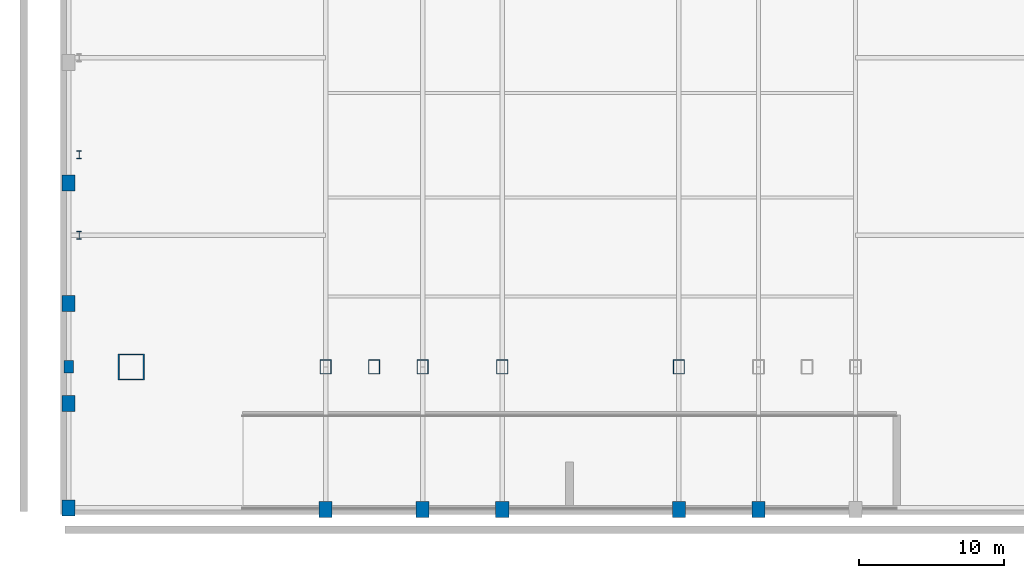
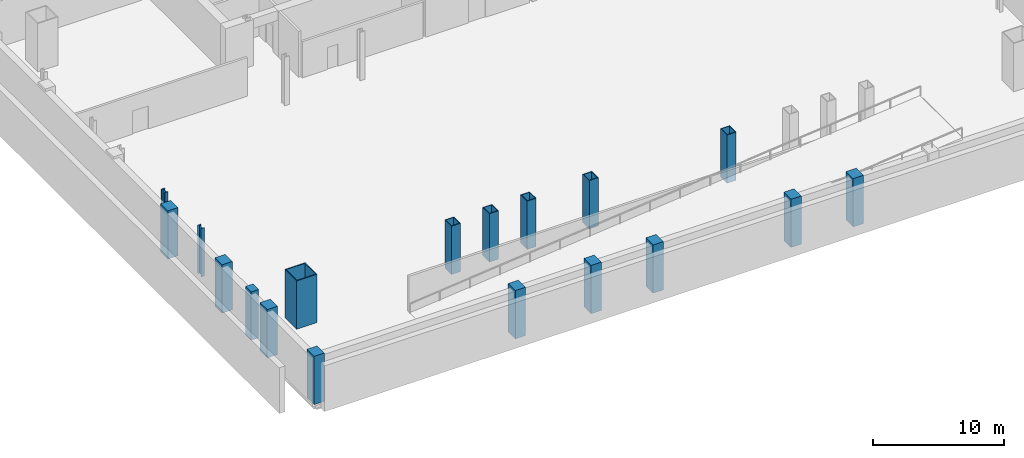
# One storey, part 1 of 10: 18 columns.
"""IFC4 building model written with IfcOpenShell, lengths in metres."""

import ifcopenshell
import ifcopenshell.guid

model = None  # the IFC model being written
_history = None  # IfcOwnerHistory: only IFC2X3 demands one
_inside = {}  # id of a spatial element -> (the spatial element, [elements in it])
_under = {}  # id of a project, library or spatial element -> (it, [spatial elements below it])
_declared = {}  # id of a project -> (the project, [libraries it declares])
_typed = {}  # id of a type object -> (the type object, [elements of that type])
_made_of = {}  # id of a material, layer set ... -> (it, [elements and type objects made of it])


def new_model(schema):
    """Start an empty IFC model of exactly this schema.

    Asked for "IFC4X3", IfcOpenShell would pick the latest addendum, in which some entities
    have other attributes; the version numbers below select the first issue.
    IFC2X3 requires an IfcOwnerHistory on every rooted entity: one is made here for all.
    """
    global model, _history
    if schema == "IFC4X3":
        model = ifcopenshell.file(schema_version=(4, 3, 0, 0))
    else:
        model = ifcopenshell.file(schema=schema)
    _inside.clear()
    _under.clear()
    _declared.clear()
    _typed.clear()
    _made_of.clear()
    _history = None
    if model.schema == "IFC2X3":
        org = make("IfcOrganization", Name="unknown")
        user = make(
            "IfcPersonAndOrganization",
            ThePerson=make("IfcPerson", FamilyName="unknown"),
            TheOrganization=org,
        )
        app = make(
            "IfcApplication",
            ApplicationDeveloper=org,
            Version="unknown",
            ApplicationFullName="unknown",
            ApplicationIdentifier="unknown",
        )
        _history = make(
            "IfcOwnerHistory",
            OwningUser=user,
            OwningApplication=app,
            ChangeAction="ADDED",
            CreationDate=0,
        )
    return model


def make(cls, **values):
    """One entity of the class cls with the attributes given. An attribute that is None is left unset."""
    return model.create_entity(
        cls, **{name: value for name, value in values.items() if value is not None}
    )


def rooted(cls, **values):
    """An entity with a GlobalId (a new one), such as an element, a storey or a relation."""
    return make(cls, GlobalId=ifcopenshell.guid.new(), OwnerHistory=_history, **values)


def si_unit(unit_type, name, prefix=None):
    """IfcSIUnit, for example si_unit("LENGTHUNIT", "METRE", prefix="MILLI")."""
    return make("IfcSIUnit", UnitType=unit_type, Prefix=prefix, Name=name)


def assignment(units):
    """IfcUnitAssignment: the units of a project."""
    return None if units is None else make("IfcUnitAssignment", Units=units)


def point(xyz):
    """IfcCartesianPoint."""
    return None if xyz is None else make("IfcCartesianPoint", Coordinates=xyz)


def direction(xyz):
    """IfcDirection."""
    return None if xyz is None else make("IfcDirection", DirectionRatios=xyz)


def frame(location, z_axis=None, x_axis=None):
    """IfcAxis2Placement3D, a coordinate frame: its origin and axes. An axis left out is left unset."""
    return make(
        "IfcAxis2Placement3D",
        Location=point(location),
        Axis=direction(z_axis),
        RefDirection=direction(x_axis),
    )


def frame_2d(location, x_axis=None):
    """IfcAxis2Placement2D, a coordinate frame in the plane: its origin and x axis."""
    return make(
        "IfcAxis2Placement2D", Location=point(location), RefDirection=direction(x_axis)
    )


def origin():
    """The frame at (0, 0, 0) with its axes left unset."""
    return frame((0.0, 0.0, 0.0))


def origin_2d():
    """The frame at (0, 0) in the plane with its x axis left unset."""
    return frame_2d((0.0, 0.0))


def place(relative_to, where):
    """IfcLocalPlacement: puts the frame where relative to a parent placement (None: the world)."""
    return make(
        "IfcLocalPlacement", PlacementRelTo=relative_to, RelativePlacement=where
    )


def context(
    kind, dimensions, precision=None, world=None, true_north=None, identifier=None
):
    """IfcGeometricRepresentationContext, for example the 3D "Model" context."""
    return make(
        "IfcGeometricRepresentationContext",
        ContextIdentifier=identifier,
        ContextType=kind,
        CoordinateSpaceDimension=dimensions,
        Precision=precision,
        WorldCoordinateSystem=world,
        TrueNorth=true_north,
    )


def subcontext(parent, identifier, kind, view, scale=None):
    """IfcGeometricRepresentationSubContext, for example "Body" below "Model"."""
    return make(
        "IfcGeometricRepresentationSubContext",
        ContextIdentifier=identifier,
        ContextType=kind,
        ParentContext=parent,
        TargetScale=scale,
        TargetView=view,
    )


def project(units=None, contexts=None):
    """IfcProject with its units and contexts."""
    return rooted(
        "IfcProject",
        Name="project",
        RepresentationContexts=contexts,
        UnitsInContext=assignment(units),
    )


def spatial(cls, under=None, at=None, **own):
    """A site, building, storey or space (cls), placed at a placement, below another one or the project."""
    s = rooted(cls, ObjectPlacement=at, **own)
    if under is not None:
        _under.setdefault(under.id(), (under, []))[1].append(s)
    return s


def profile(cls, at=None, kind="AREA", **sizes):
    """A parametric profile (cls). Its sizes go by their IFC names, for example OverallWidth=200.0."""
    return make(cls, ProfileType=kind, Position=at, **sizes)


def rectangle(**sizes):
    """IfcRectangleProfileDef."""
    return profile("IfcRectangleProfileDef", **sizes)


def hollow_rectangle(**sizes):
    """IfcRectangleHollowProfileDef."""
    return profile("IfcRectangleHollowProfileDef", **sizes)


def i_section(**sizes):
    """IfcIShapeProfileDef."""
    return profile("IfcIShapeProfileDef", **sizes)


def extrude(swept, where, along, depth):
    """IfcExtrudedAreaSolid: the profile swept, set in the frame where, extruded along a direction by depth."""
    return make(
        "IfcExtrudedAreaSolid",
        SweptArea=swept,
        Position=where,
        ExtrudedDirection=direction(along),
        Depth=depth,
    )


def shape(context_of_items, identifier, shape_type, items):
    """IfcShapeRepresentation: the items that make up one representation, for example the "Body"."""
    return make(
        "IfcShapeRepresentation",
        ContextOfItems=context_of_items,
        RepresentationIdentifier=identifier,
        RepresentationType=shape_type,
        Items=items,
    )


def material(Name=None, Category=None):
    """IfcMaterial."""
    return make("IfcMaterial", Name=Name, Category=Category)


def material_profile(
    of_material, cross_section, Name=None, Category=None, Priority=None
):
    """IfcMaterialProfile: a cross section and its material."""
    return make(
        "IfcMaterialProfile",
        Name=Name,
        Material=of_material,
        Profile=cross_section,
        Priority=Priority,
        Category=Category,
    )


def profile_set(profiles, Name=None, composite=None):
    """IfcMaterialProfileSet."""
    return make(
        "IfcMaterialProfileSet",
        Name=Name,
        MaterialProfiles=profiles,
        CompositeProfile=composite,
    )


def made_of(thing, what):
    """Note that an element or type object is made of a material, layer set ...; save() writes the relation."""
    if what is not None:
        _made_of.setdefault(what.id(), (what, []))[1].append(thing)
    return thing


def type_object(cls, material=None, **own):
    """A type object (cls), such as IfcWallType, which elements share."""
    return made_of(rooted(cls, **own), material)


def element(
    cls,
    number,
    at=None,
    inside=None,
    cuts=None,
    type_object=None,
    material=None,
    context=None,
    identifier="Body",
    shape_type=None,
    held_by="IfcProductDefinitionShape",
    body=None,
    shapes=None,
    **own,
):
    """One element of the class cls, such as IfcWall. Its Tag is "e" and its number.

    at: its placement. inside: the storey or other place that contains it. cuts: it is an
    opening in that element (IfcRelVoidsElement). A single representation is given by context,
    identifier, shape_type and body (its items); several are given by shapes. held_by: the class
    of the entity that holds the representations. save() writes the other relations.
    """
    e = rooted(cls, Tag="e%d" % number, ObjectPlacement=at, **own)
    if body is not None:
        shapes = [shape(context, identifier, shape_type, body)]
    if shapes is not None:
        e.Representation = make(held_by, Representations=shapes)
    if inside is not None:
        _inside.setdefault(inside.id(), (inside, []))[1].append(e)
    if cuts is not None:
        rooted(
            "IfcRelVoidsElement", RelatingBuildingElement=cuts, RelatedOpeningElement=e
        )
    if type_object is not None:
        _typed.setdefault(type_object.id(), (type_object, []))[1].append(e)
    return made_of(e, material)


def aggregate(whole, parts):
    """IfcRelAggregates: a whole, such as a stair, and the parts it consists of."""
    return rooted("IfcRelAggregates", RelatingObject=whole, RelatedObjects=parts)


def save(model, path):
    """Write the relations noted so far, then the file.

    IfcRelAggregates (storeys below a building ...), IfcRelContainedInSpatialStructure (elements
    in a storey), IfcRelDefinesByType, IfcRelAssociatesMaterial and IfcRelDeclares: one each for
    every whole, place, type object, material and project.
    """
    for whole, parts in _under.values():
        aggregate(whole, parts)
    for where, things in _inside.values():
        rooted(
            "IfcRelContainedInSpatialStructure",
            RelatedElements=things,
            RelatingStructure=where,
        )
    for kind, things in _typed.values():
        rooted("IfcRelDefinesByType", RelatedObjects=things, RelatingType=kind)
    for what, things in _made_of.values():
        rooted("IfcRelAssociatesMaterial", RelatedObjects=things, RelatingMaterial=what)
    for by, libraries in _declared.values():
        rooted("IfcRelDeclares", RelatingContext=by, RelatedDefinitions=libraries)
    model.write(path)


model = new_model("IFC4")

# Units and contexts
model_context = context("Model", 3, precision=1e-05, world=origin(), true_north=direction((0.0, 1.0)))
body_context = subcontext(model_context, "Body", "Model", "MODEL_VIEW")
ifc_project = project(units=[si_unit("LENGTHUNIT", "METRE"), si_unit("AREAUNIT", "SQUARE_METRE"), si_unit("VOLUMEUNIT", "CUBIC_METRE"), si_unit("PLANEANGLEUNIT", "RADIAN"), si_unit("MASSUNIT", "GRAM", prefix="KILO")], contexts=[model_context])

# Site, building, storey
site_placement = place(None, origin())
site = spatial("IfcSite", under=ifc_project, at=site_placement, CompositionType="ELEMENT")
building_placement = place(site_placement, origin())
building = spatial("IfcBuilding", under=site, at=building_placement, Name="Khoronbel Lancet Exchange", CompositionType="ELEMENT")
storey_placement = place(building_placement, frame((0.0, 0.0, -4.5)))
storey = spatial("IfcBuildingStorey", under=building, at=storey_placement, Name="B1", CompositionType="ELEMENT", Elevation=-4.5)

# Columns
ifc_material_1 = material(Name="Steel S460", Category="steel")
ifc_material_profile_1 = material_profile(ifc_material_1, hollow_rectangle(XDim=0.800048828125, YDim=1.0, WallThickness=0.054931640625, at=origin_2d()), Name="BOX 1000x800x55")
ifc_profile_set_1 = profile_set([ifc_material_profile_1], Name="Steel S460")
column_type_1 = type_object("IfcColumnType", Name="COL-EC1", PredefinedType="COLUMN", material=ifc_profile_set_1)
for number, where, z_axis, x_axis, name in (
    (1, (18.22509765625, 10.14990234375, 0.0), (0.0, 0.0, 1.0), (1.0, 0.0, 0.0), "Structural column SC-W1 B1"),
    (2, (21.5625, 10.14990234375, 0.0), (0.0, 0.0, 1.0), (1.0, 0.0, 0.0), "Structural column SC-WM B1"),
    (3, (24.89990234375, 10.14990234375, 0.0), (0.0, 0.0, 1.0), (1.0, 0.0, 0.0), "Structural column SC-W2 B1"),
    (4, (30.375, 10.14990234375, 0.0), (0.0, 0.0, 1.0), (1.0, 0.0, 0.0), "Structural column SC-C1 B1"),
    (5, (42.52490234375, 10.14990234375, 0.0), (0.0, 0.0, 1.0), (1.0, 0.0, 0.0), "Structural column SC-C2 B1"),
):
    element("IfcColumn", number, at=place(storey_placement, frame(where, z_axis=z_axis, x_axis=x_axis)), inside=storey, type_object=column_type_1, Name=name, PredefinedType="COLUMN", context=body_context, shape_type="SweptSolid", body=[
        extrude(hollow_rectangle(XDim=0.800048828125, YDim=1.0, WallThickness=0.054931640625, at=origin_2d()), origin(), (0.0, 0.0, 1.0), 4.5),
    ])
ifc_material_2 = material(Name="Steel S355", Category="steel")
ifc_material_profile_2 = material_profile(ifc_material_2, i_section(OverallWidth=0.300048828125, OverallDepth=0.550048828125, WebThickness=0.014892578125, FlangeThickness=0.029052734375, at=origin_2d()), Name="HEB 550")
ifc_profile_set_2 = profile_set([ifc_material_profile_2], Name="Steel S355")
column_type_2 = type_object("IfcColumnType", Name="COL-LC1", PredefinedType="COLUMN", material=ifc_profile_set_2)
for number, where, z_axis, x_axis, name in (
    (6, (1.27001953125, 19.199951171875, 0.0), (0.0, 0.0, 1.0), (1.0, 0.0, 0.0), "Structural column WC-1 B1"),
    (7, (1.27001953125, 24.75, 0.0), (0.0, 0.0, 1.0), (1.0, 0.0, 0.0), "Structural column WC-2 B1"),
):
    element("IfcColumn", number, at=place(storey_placement, frame(where, z_axis=z_axis, x_axis=x_axis)), inside=storey, type_object=column_type_2, Name=name, PredefinedType="COLUMN", context=body_context, shape_type="SweptSolid", body=[
        extrude(i_section(OverallWidth=0.300048828125, OverallDepth=0.550048828125, WebThickness=0.014892578125, FlangeThickness=0.029052734375, at=origin_2d()), origin(), (0.0, 0.0, 1.0), 4.5),
    ])
ifc_material_profile_3 = material_profile(ifc_material_1, hollow_rectangle(XDim=1.800048828125, YDim=1.800048828125, WallThickness=0.080078125, at=origin_2d()), Name="BOX 1800x1800x80")
ifc_profile_set_3 = profile_set([ifc_material_profile_3], Name="Steel S460")
column_type_3 = type_object("IfcColumnType", Name="COL-MC1", PredefinedType="COLUMN", material=ifc_profile_set_3)
column_1_placement = place(storey_placement, frame((4.85009765625, 10.14990234375, 0.0), z_axis=(0.0, 0.0, 1.0), x_axis=(1.0, 0.0, 0.0)))
element("IfcColumn", 8, at=column_1_placement, inside=storey, type_object=column_type_3, Name="Structural column MC-SW B1", PredefinedType="COLUMN", context=body_context, shape_type="SweptSolid", body=[
    extrude(hollow_rectangle(XDim=1.800048828125, YDim=1.800048828125, WallThickness=0.080078125, at=origin_2d()), origin(), (0.0, 0.0, 1.0), 4.5),
])
ifc_material_3 = material(Name="Concrete C60/75", Category="concrete")
ifc_material_profile_4 = material_profile(ifc_material_3, rectangle(XDim=0.89990234375, YDim=1.10009765625, at=origin_2d()), Name="RC 900x1100")
ifc_profile_set_4 = profile_set([ifc_material_profile_4], Name="Concrete C60/75")
column_type_4 = type_object("IfcColumnType", Name="COL-PIL1", PredefinedType="PILASTER", material=ifc_profile_set_4)
for number, where, z_axis, x_axis, name in (
    (9, (0.550048828125, 7.6201171875, 0.0), (0.0, 0.0, 1.0), (1.0, 0.0, 0.0), "Podium Gothic colonnade pilaster SWP B1"),
    (10, (0.550048828125, 14.5, 0.0), (0.0, 0.0, 1.0), (1.0, 0.0, 0.0), "Podium Gothic colonnade pilaster W1 B1"),
    (11, (0.550048828125, 22.800048828125, 0.0), (0.0, 0.0, 1.0), (1.0, 0.0, 0.0), "Podium Gothic colonnade pilaster W2 B1"),
    (12, (0.550048828125, 0.449951171875, 0.0), (0.0, 0.0, 1.0), (1.0, 0.0, 0.0), "Podium Gothic colonnade pilaster S0W B1"),
    (13, (18.22509765625, 0.35009765625, 0.0), (0.0, 0.0, 1.0), (1.0, 0.0, 0.0), "Substructure south perimeter column SB1 B1"),
    (14, (24.89990234375, 0.35009765625, 0.0), (0.0, 0.0, 1.0), (1.0, 0.0, 0.0), "Substructure south perimeter column SB2 B1"),
    (15, (30.375, 0.35009765625, 0.0), (0.0, 0.0, 1.0), (1.0, 0.0, 0.0), "Substructure south perimeter column SB3 B1"),
    (16, (42.52490234375, 0.35009765625, 0.0), (0.0, 0.0, 1.0), (1.0, 0.0, 0.0), "Substructure south perimeter column SB4 B1"),
    (17, (48.0, 0.35009765625, 0.0), (0.0, 0.0, 1.0), (1.0, 0.0, 0.0), "Substructure south perimeter column SB5 B1"),
):
    element("IfcColumn", number, at=place(storey_placement, frame(where, z_axis=z_axis, x_axis=x_axis)), inside=storey, type_object=column_type_4, Name=name, PredefinedType="PILASTER", context=body_context, shape_type="SweptSolid", body=[
        extrude(rectangle(XDim=0.89990234375, YDim=1.10009765625, at=origin_2d()), origin(), (0.0, 0.0, 1.0), 4.5),
    ])
ifc_material_profile_5 = material_profile(ifc_material_3, rectangle(XDim=0.64990234375, YDim=0.85009765625, at=origin_2d()), Name="RC 650x850")
ifc_profile_set_5 = profile_set([ifc_material_profile_5], Name="Concrete C60/75")
column_type_5 = type_object("IfcColumnType", Name="COL-PIL3", PredefinedType="PILASTER", material=ifc_profile_set_5)
column_2_placement = place(storey_placement, frame((0.550048828125, 10.14990234375, 0.0), z_axis=(0.0, 0.0, 1.0), x_axis=(1.0, 0.0, 0.0)))
element("IfcColumn", 18, at=column_2_placement, inside=storey, type_object=column_type_5, Name="Podium Gothic colonnade pilaster WMC B1", PredefinedType="PILASTER", context=body_context, shape_type="SweptSolid", body=[
    extrude(rectangle(XDim=0.64990234375, YDim=0.85009765625, at=origin_2d()), origin(), (0.0, 0.0, 1.0), 4.5),
])

save(model, "model.ifc")
